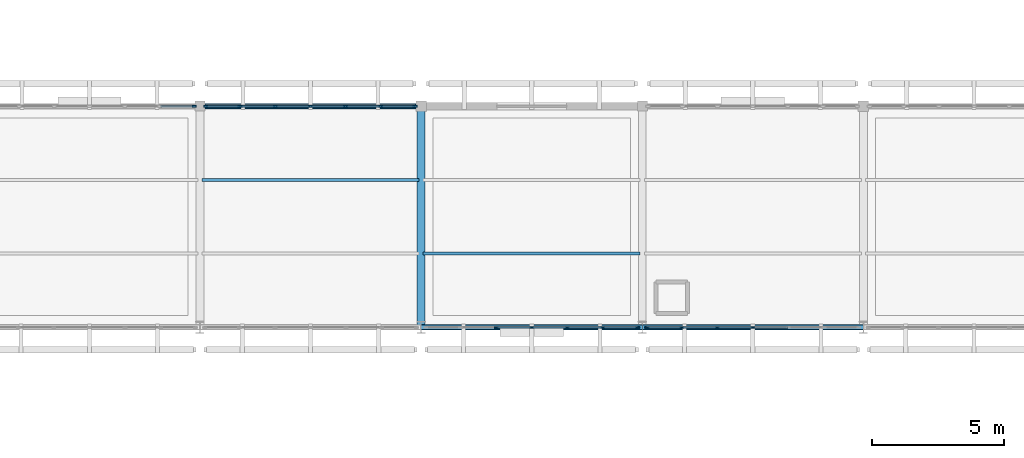
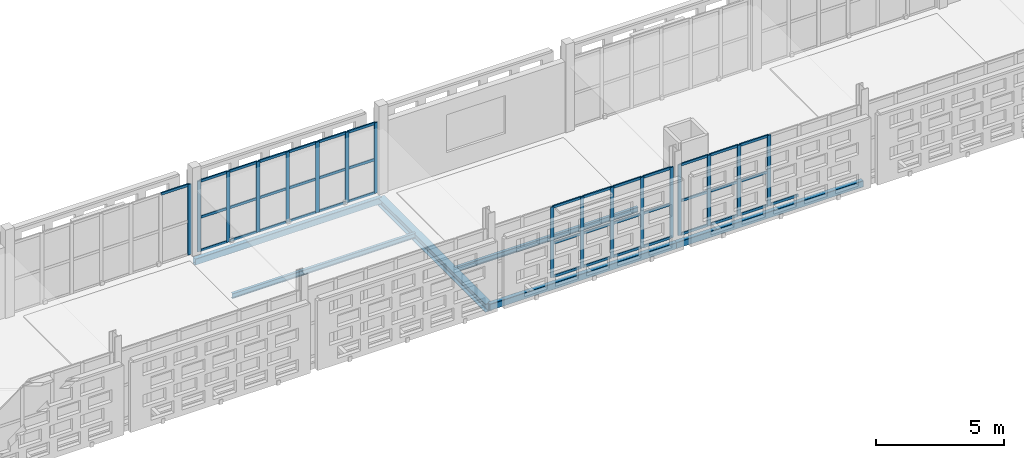
# One storey, part 45 of 166: 58 members, 6 beams, 4 elements without a shape of their own.
"""IFC4 building model written with IfcOpenShell, lengths in metres."""

import ifcopenshell
import ifcopenshell.guid

model = None  # the IFC model being written
_history = None  # IfcOwnerHistory: only IFC2X3 demands one
_inside = {}  # id of a spatial element -> (the spatial element, [elements in it])
_under = {}  # id of a project, library or spatial element -> (it, [spatial elements below it])
_declared = {}  # id of a project -> (the project, [libraries it declares])
_typed = {}  # id of a type object -> (the type object, [elements of that type])
_made_of = {}  # id of a material, layer set ... -> (it, [elements and type objects made of it])


def new_model(schema):
    """Start an empty IFC model of exactly this schema.

    Asked for "IFC4X3", IfcOpenShell would pick the latest addendum, in which some entities
    have other attributes; the version numbers below select the first issue.
    IFC2X3 requires an IfcOwnerHistory on every rooted entity: one is made here for all.
    """
    global model, _history
    if schema == "IFC4X3":
        model = ifcopenshell.file(schema_version=(4, 3, 0, 0))
    else:
        model = ifcopenshell.file(schema=schema)
    _inside.clear()
    _under.clear()
    _declared.clear()
    _typed.clear()
    _made_of.clear()
    _history = None
    if model.schema == "IFC2X3":
        org = make("IfcOrganization", Name="unknown")
        user = make(
            "IfcPersonAndOrganization",
            ThePerson=make("IfcPerson", FamilyName="unknown"),
            TheOrganization=org,
        )
        app = make(
            "IfcApplication",
            ApplicationDeveloper=org,
            Version="unknown",
            ApplicationFullName="unknown",
            ApplicationIdentifier="unknown",
        )
        _history = make(
            "IfcOwnerHistory",
            OwningUser=user,
            OwningApplication=app,
            ChangeAction="ADDED",
            CreationDate=0,
        )
    return model


def make(cls, **values):
    """One entity of the class cls with the attributes given. An attribute that is None is left unset."""
    return model.create_entity(
        cls, **{name: value for name, value in values.items() if value is not None}
    )


def rooted(cls, **values):
    """An entity with a GlobalId (a new one), such as an element, a storey or a relation."""
    return make(cls, GlobalId=ifcopenshell.guid.new(), OwnerHistory=_history, **values)


def si_unit(unit_type, name, prefix=None):
    """IfcSIUnit, for example si_unit("LENGTHUNIT", "METRE", prefix="MILLI")."""
    return make("IfcSIUnit", UnitType=unit_type, Prefix=prefix, Name=name)


def assignment(units):
    """IfcUnitAssignment: the units of a project."""
    return None if units is None else make("IfcUnitAssignment", Units=units)


def point(xyz):
    """IfcCartesianPoint."""
    return None if xyz is None else make("IfcCartesianPoint", Coordinates=xyz)


def direction(xyz):
    """IfcDirection."""
    return None if xyz is None else make("IfcDirection", DirectionRatios=xyz)


def frame(location, z_axis=None, x_axis=None):
    """IfcAxis2Placement3D, a coordinate frame: its origin and axes. An axis left out is left unset."""
    return make(
        "IfcAxis2Placement3D",
        Location=point(location),
        Axis=direction(z_axis),
        RefDirection=direction(x_axis),
    )


def frame_2d(location, x_axis=None):
    """IfcAxis2Placement2D, a coordinate frame in the plane: its origin and x axis."""
    return make(
        "IfcAxis2Placement2D", Location=point(location), RefDirection=direction(x_axis)
    )


def origin():
    """The frame at (0, 0, 0) with its axes left unset."""
    return frame((0.0, 0.0, 0.0))


def origin_2d():
    """The frame at (0, 0) in the plane with its x axis left unset."""
    return frame_2d((0.0, 0.0))


def place(relative_to, where):
    """IfcLocalPlacement: puts the frame where relative to a parent placement (None: the world)."""
    return make(
        "IfcLocalPlacement", PlacementRelTo=relative_to, RelativePlacement=where
    )


def context(
    kind, dimensions, precision=None, world=None, true_north=None, identifier=None
):
    """IfcGeometricRepresentationContext, for example the 3D "Model" context."""
    return make(
        "IfcGeometricRepresentationContext",
        ContextIdentifier=identifier,
        ContextType=kind,
        CoordinateSpaceDimension=dimensions,
        Precision=precision,
        WorldCoordinateSystem=world,
        TrueNorth=true_north,
    )


def subcontext(parent, identifier, kind, view, scale=None):
    """IfcGeometricRepresentationSubContext, for example "Body" below "Model"."""
    return make(
        "IfcGeometricRepresentationSubContext",
        ContextIdentifier=identifier,
        ContextType=kind,
        ParentContext=parent,
        TargetScale=scale,
        TargetView=view,
    )


def project(units=None, contexts=None):
    """IfcProject with its units and contexts."""
    return rooted(
        "IfcProject",
        Name="project",
        RepresentationContexts=contexts,
        UnitsInContext=assignment(units),
    )


def spatial(cls, under=None, at=None, **own):
    """A site, building, storey or space (cls), placed at a placement, below another one or the project."""
    s = rooted(cls, ObjectPlacement=at, **own)
    if under is not None:
        _under.setdefault(under.id(), (under, []))[1].append(s)
    return s


def profile(cls, at=None, kind="AREA", **sizes):
    """A parametric profile (cls). Its sizes go by their IFC names, for example OverallWidth=200.0."""
    return make(cls, ProfileType=kind, Position=at, **sizes)


def rectangle(**sizes):
    """IfcRectangleProfileDef."""
    return profile("IfcRectangleProfileDef", **sizes)


def hollow_rectangle(**sizes):
    """IfcRectangleHollowProfileDef."""
    return profile("IfcRectangleHollowProfileDef", **sizes)


def i_section(**sizes):
    """IfcIShapeProfileDef."""
    return profile("IfcIShapeProfileDef", **sizes)


def extrude(swept, where, along, depth):
    """IfcExtrudedAreaSolid: the profile swept, set in the frame where, extruded along a direction by depth."""
    return make(
        "IfcExtrudedAreaSolid",
        SweptArea=swept,
        Position=where,
        ExtrudedDirection=direction(along),
        Depth=depth,
    )


def shape(context_of_items, identifier, shape_type, items):
    """IfcShapeRepresentation: the items that make up one representation, for example the "Body"."""
    return make(
        "IfcShapeRepresentation",
        ContextOfItems=context_of_items,
        RepresentationIdentifier=identifier,
        RepresentationType=shape_type,
        Items=items,
    )


def material(Name=None, Category=None):
    """IfcMaterial."""
    return make("IfcMaterial", Name=Name, Category=Category)


def layer(
    of_material, thickness, ventilated=None, Name=None, Category=None, Priority=None
):
    """IfcMaterialLayer: one layer of a wall or slab, of a material (None: an air gap)."""
    return make(
        "IfcMaterialLayer",
        Material=of_material,
        LayerThickness=thickness,
        IsVentilated=ventilated,
        Name=Name,
        Category=Category,
        Priority=Priority,
    )


def layer_set(layers, Name=None):
    """IfcMaterialLayerSet."""
    return make("IfcMaterialLayerSet", MaterialLayers=layers, LayerSetName=Name)


def material_profile(
    of_material, cross_section, Name=None, Category=None, Priority=None
):
    """IfcMaterialProfile: a cross section and its material."""
    return make(
        "IfcMaterialProfile",
        Name=Name,
        Material=of_material,
        Profile=cross_section,
        Priority=Priority,
        Category=Category,
    )


def profile_set(profiles, Name=None, composite=None):
    """IfcMaterialProfileSet."""
    return make(
        "IfcMaterialProfileSet",
        Name=Name,
        MaterialProfiles=profiles,
        CompositeProfile=composite,
    )


def made_of(thing, what):
    """Note that an element or type object is made of a material, layer set ...; save() writes the relation."""
    if what is not None:
        _made_of.setdefault(what.id(), (what, []))[1].append(thing)
    return thing


def type_object(cls, material=None, **own):
    """A type object (cls), such as IfcWallType, which elements share."""
    return made_of(rooted(cls, **own), material)


def element(
    cls,
    number,
    at=None,
    inside=None,
    cuts=None,
    type_object=None,
    material=None,
    context=None,
    identifier="Body",
    shape_type=None,
    held_by="IfcProductDefinitionShape",
    body=None,
    shapes=None,
    **own,
):
    """One element of the class cls, such as IfcWall. Its Tag is "e" and its number.

    at: its placement. inside: the storey or other place that contains it. cuts: it is an
    opening in that element (IfcRelVoidsElement). A single representation is given by context,
    identifier, shape_type and body (its items); several are given by shapes. held_by: the class
    of the entity that holds the representations. save() writes the other relations.
    """
    e = rooted(cls, Tag="e%d" % number, ObjectPlacement=at, **own)
    if body is not None:
        shapes = [shape(context, identifier, shape_type, body)]
    if shapes is not None:
        e.Representation = make(held_by, Representations=shapes)
    if inside is not None:
        _inside.setdefault(inside.id(), (inside, []))[1].append(e)
    if cuts is not None:
        rooted(
            "IfcRelVoidsElement", RelatingBuildingElement=cuts, RelatedOpeningElement=e
        )
    if type_object is not None:
        _typed.setdefault(type_object.id(), (type_object, []))[1].append(e)
    return made_of(e, material)


def aggregate(whole, parts):
    """IfcRelAggregates: a whole, such as a stair, and the parts it consists of."""
    return rooted("IfcRelAggregates", RelatingObject=whole, RelatedObjects=parts)


def save(model, path):
    """Write the relations noted so far, then the file.

    IfcRelAggregates (storeys below a building ...), IfcRelContainedInSpatialStructure (elements
    in a storey), IfcRelDefinesByType, IfcRelAssociatesMaterial and IfcRelDeclares: one each for
    every whole, place, type object, material and project.
    """
    for whole, parts in _under.values():
        aggregate(whole, parts)
    for where, things in _inside.values():
        rooted(
            "IfcRelContainedInSpatialStructure",
            RelatedElements=things,
            RelatingStructure=where,
        )
    for kind, things in _typed.values():
        rooted("IfcRelDefinesByType", RelatedObjects=things, RelatingType=kind)
    for what, things in _made_of.values():
        rooted("IfcRelAssociatesMaterial", RelatedObjects=things, RelatingMaterial=what)
    for by, libraries in _declared.values():
        rooted("IfcRelDeclares", RelatingContext=by, RelatedDefinitions=libraries)
    model.write(path)


model = new_model("IFC4")

# Units and contexts
model_context = context("Model", 3, precision=1e-05, world=origin(), true_north=direction((0.0, 1.0)))
body_context = subcontext(model_context, "Body", "Model", "MODEL_VIEW")
ifc_project = project(units=[si_unit("LENGTHUNIT", "METRE"), si_unit("AREAUNIT", "SQUARE_METRE"), si_unit("VOLUMEUNIT", "CUBIC_METRE"), si_unit("PLANEANGLEUNIT", "RADIAN"), si_unit("MASSUNIT", "GRAM", prefix="KILO")], contexts=[model_context])

# Site, building, storey
site_placement = place(None, origin())
site = spatial("IfcSite", under=ifc_project, at=site_placement, CompositionType="ELEMENT")
building_placement = place(site_placement, origin())
building = spatial("IfcBuilding", under=site, at=building_placement, Name="Varnapada Polytechnic", CompositionType="ELEMENT")
storey_placement = place(building_placement, frame((0.0, 0.0, 9.60009765625)))
storey = spatial("IfcBuildingStorey", under=building, at=storey_placement, Name="L02", CompositionType="ELEMENT", Elevation=9.60009765625)

# Curtain wall, member
ifc_material_1 = material(Name="Double low-E laminated glass", Category="glass")
ifc_layer_1 = layer(ifc_material_1, 0.159912109375)
ifc_layer_set_1 = layer_set([ifc_layer_1], Name="Double low-E laminated glass")
curtain_wall_type_1 = type_object("IfcCurtainWallType", Name="Curtain Wall CW-02", PredefinedType="NOTDEFINED", material=ifc_layer_set_1)
curtain_wall_1_placement = place(storey_placement, origin())
curtain_wall_1 = element("IfcCurtainWall", 1, at=curtain_wall_1_placement, inside=storey, type_object=curtain_wall_type_1, Name="L02 unitised curtain wall CW-02 (167)", PredefinedType="NOTDEFINED")
ifc_material_2 = material(Name="Anodised aluminium", Category="aluminium")
ifc_material_profile_1 = material_profile(ifc_material_2, rectangle(XDim=0.06005859375, YDim=0.159912109375, at=origin_2d()), Name="ALU M60x160")
ifc_profile_set_1 = profile_set([ifc_material_profile_1], Name="Anodised aluminium")
member_type_1 = type_object("IfcMemberType", Name="Mullion M-01", PredefinedType="MULLION", material=ifc_profile_set_1)
member_1_placement = place(storey_placement, frame((83.780029296875, 92.39990234375, 0.0), z_axis=(0.0, 0.0, 1.0), x_axis=(0.0, 1.0, 0.0)))
member_1 = element("IfcMember", 2, at=member_1_placement, type_object=member_type_1, Name="CW-02 mullion 7", PredefinedType="MULLION", context=body_context, shape_type="SweptSolid", body=[
    extrude(rectangle(XDim=0.06005859375, YDim=0.159912109375, at=origin_2d()), origin(), (0.0, 0.0, 1.0), 3.35986328125),
])

# Curtain wall, members
curtain_wall_2_placement = place(storey_placement, origin())
curtain_wall_2 = element("IfcCurtainWall", 3, at=curtain_wall_2_placement, inside=storey, type_object=curtain_wall_type_1, Name="L02 unitised curtain wall CW-02 (169)", PredefinedType="NOTDEFINED")
member_2_placement = place(storey_placement, frame((84.219970703125, 92.39990234375, 0.0), z_axis=(0.0, 0.0, 1.0), x_axis=(0.0, 1.0, 0.0)))
member_2 = element("IfcMember", 4, at=member_2_placement, type_object=member_type_1, Name="CW-02 mullion 1", PredefinedType="MULLION", context=body_context, shape_type="SweptSolid", body=[
    extrude(rectangle(XDim=0.06005859375, YDim=0.159912109375, at=origin_2d()), origin(), (0.0, 0.0, 1.0), 3.35986328125),
])
member_3_placement = place(storey_placement, frame((85.52490234375, 92.39990234375, 0.0), z_axis=(0.0, 0.0, 1.0), x_axis=(0.0, 1.0, 0.0)))
member_3 = element("IfcMember", 5, at=member_3_placement, type_object=member_type_1, Name="CW-02 mullion 2", PredefinedType="MULLION", context=body_context, shape_type="SweptSolid", body=[
    extrude(rectangle(XDim=0.06005859375, YDim=0.159912109375, at=origin_2d()), origin(), (0.0, 0.0, 1.0), 3.35986328125),
])
member_4_placement = place(storey_placement, frame((86.860107421875, 92.39990234375, 0.0), z_axis=(0.0, 0.0, 1.0), x_axis=(0.0, 1.0, 0.0)))
member_4 = element("IfcMember", 6, at=member_4_placement, type_object=member_type_1, Name="CW-02 mullion 3", PredefinedType="MULLION", context=body_context, shape_type="SweptSolid", body=[
    extrude(rectangle(XDim=0.06005859375, YDim=0.159912109375, at=origin_2d()), origin(), (0.0, 0.0, 1.0), 3.35986328125),
])
member_5_placement = place(storey_placement, frame((88.195068359375, 92.39990234375, 0.0), z_axis=(0.0, 0.0, 1.0), x_axis=(0.0, 1.0, 0.0)))
member_5 = element("IfcMember", 7, at=member_5_placement, type_object=member_type_1, Name="CW-02 mullion 4", PredefinedType="MULLION", context=body_context, shape_type="SweptSolid", body=[
    extrude(rectangle(XDim=0.06005859375, YDim=0.159912109375, at=origin_2d()), origin(), (0.0, 0.0, 1.0), 3.35986328125),
])
member_6_placement = place(storey_placement, frame((89.530029296875, 92.39990234375, 0.0), z_axis=(0.0, 0.0, 1.0), x_axis=(0.0, 1.0, 0.0)))
member_6 = element("IfcMember", 8, at=member_6_placement, type_object=member_type_1, Name="CW-02 mullion 5", PredefinedType="MULLION", context=body_context, shape_type="SweptSolid", body=[
    extrude(rectangle(XDim=0.06005859375, YDim=0.159912109375, at=origin_2d()), origin(), (0.0, 0.0, 1.0), 3.35986328125),
])
member_7_placement = place(storey_placement, frame((90.864990234375, 92.39990234375, 0.0), z_axis=(0.0, 0.0, 1.0), x_axis=(0.0, 1.0, 0.0)))
member_7 = element("IfcMember", 9, at=member_7_placement, type_object=member_type_1, Name="CW-02 mullion 6", PredefinedType="MULLION", context=body_context, shape_type="SweptSolid", body=[
    extrude(rectangle(XDim=0.06005859375, YDim=0.159912109375, at=origin_2d()), origin(), (0.0, 0.0, 1.0), 3.35986328125),
])
member_8_placement = place(storey_placement, frame((92.169921875, 92.39990234375, 0.0), z_axis=(0.0, 0.0, 1.0), x_axis=(0.0, 1.0, 0.0)))
member_8 = element("IfcMember", 10, at=member_8_placement, type_object=member_type_1, Name="CW-02 mullion 7", PredefinedType="MULLION", context=body_context, shape_type="SweptSolid", body=[
    extrude(rectangle(XDim=0.06005859375, YDim=0.159912109375, at=origin_2d()), origin(), (0.0, 0.0, 1.0), 3.35986328125),
])

ifc_layer_2 = layer(ifc_material_1, 0.159912109375)
ifc_layer_set_2 = layer_set([ifc_layer_2], Name="Double low-E laminated glass")
curtain_wall_type_2 = type_object("IfcCurtainWallType", Name="Curtain Wall CW-01", PredefinedType="NOTDEFINED", material=ifc_layer_set_2)
curtain_wall_3_placement = place(storey_placement, origin())
curtain_wall_3 = element("IfcCurtainWall", 11, at=curtain_wall_3_placement, inside=storey, type_object=curtain_wall_type_2, Name="L02 unitised curtain wall CW-01 (170)", PredefinedType="NOTDEFINED")
member_9_placement = place(storey_placement, frame((100.6201171875, 84.0, 0.0), z_axis=(0.0, 0.0, 1.0), x_axis=(0.0, -1.0, 0.0)))
member_9 = element("IfcMember", 12, at=member_9_placement, type_object=member_type_1, Name="CW-01 mullion 1", PredefinedType="MULLION", context=body_context, shape_type="SweptSolid", body=[
    extrude(rectangle(XDim=0.06005859375, YDim=0.159912109375, at=origin_2d()), origin(), (0.0, 0.0, 1.0), 3.35986328125),
])
member_10_placement = place(storey_placement, frame((99.300048828125, 84.0, 0.0), z_axis=(0.0, 0.0, 1.0), x_axis=(0.0, -1.0, 0.0)))
member_10 = element("IfcMember", 13, at=member_10_placement, type_object=member_type_1, Name="CW-01 mullion 2", PredefinedType="MULLION", context=body_context, shape_type="SweptSolid", body=[
    extrude(rectangle(XDim=0.06005859375, YDim=0.159912109375, at=origin_2d()), origin(), (0.0, 0.0, 1.0), 3.35986328125),
])
member_11_placement = place(storey_placement, frame((97.949951171875, 84.0, 0.0), z_axis=(0.0, 0.0, 1.0), x_axis=(0.0, -1.0, 0.0)))
member_11 = element("IfcMember", 14, at=member_11_placement, type_object=member_type_1, Name="CW-01 mullion 3", PredefinedType="MULLION", context=body_context, shape_type="SweptSolid", body=[
    extrude(rectangle(XDim=0.06005859375, YDim=0.159912109375, at=origin_2d()), origin(), (0.0, 0.0, 1.0), 3.35986328125),
])
member_12_placement = place(storey_placement, frame((96.60009765625, 84.0, 0.0), z_axis=(0.0, 0.0, 1.0), x_axis=(0.0, -1.0, 0.0)))
member_12 = element("IfcMember", 15, at=member_12_placement, type_object=member_type_1, Name="CW-01 mullion 4", PredefinedType="MULLION", context=body_context, shape_type="SweptSolid", body=[
    extrude(rectangle(XDim=0.06005859375, YDim=0.159912109375, at=origin_2d()), origin(), (0.0, 0.0, 1.0), 3.35986328125),
])
member_13_placement = place(storey_placement, frame((95.25, 84.0, 0.0), z_axis=(0.0, 0.0, 1.0), x_axis=(0.0, -1.0, 0.0)))
member_13 = element("IfcMember", 16, at=member_13_placement, type_object=member_type_1, Name="CW-01 mullion 5", PredefinedType="MULLION", context=body_context, shape_type="SweptSolid", body=[
    extrude(rectangle(XDim=0.06005859375, YDim=0.159912109375, at=origin_2d()), origin(), (0.0, 0.0, 1.0), 3.35986328125),
])

curtain_wall_4_placement = place(storey_placement, origin())
curtain_wall_4 = element("IfcCurtainWall", 17, at=curtain_wall_4_placement, inside=storey, type_object=curtain_wall_type_2, Name="L02 unitised curtain wall CW-01 (171)", PredefinedType="NOTDEFINED")
member_14_placement = place(storey_placement, frame((105.0, 84.0, 0.0), z_axis=(0.0, 0.0, 1.0), x_axis=(0.0, -1.0, 0.0)))
member_14 = element("IfcMember", 18, at=member_14_placement, type_object=member_type_1, Name="CW-01 mullion 4", PredefinedType="MULLION", context=body_context, shape_type="SweptSolid", body=[
    extrude(rectangle(XDim=0.06005859375, YDim=0.159912109375, at=origin_2d()), origin(), (0.0, 0.0, 1.0), 3.35986328125),
])
member_15_placement = place(storey_placement, frame((103.64990234375, 84.0, 0.0), z_axis=(0.0, 0.0, 1.0), x_axis=(0.0, -1.0, 0.0)))
member_15 = element("IfcMember", 19, at=member_15_placement, type_object=member_type_1, Name="CW-01 mullion 5", PredefinedType="MULLION", context=body_context, shape_type="SweptSolid", body=[
    extrude(rectangle(XDim=0.06005859375, YDim=0.159912109375, at=origin_2d()), origin(), (0.0, 0.0, 1.0), 3.35986328125),
])
member_16_placement = place(storey_placement, frame((102.300048828125, 84.0, 0.0), z_axis=(0.0, 0.0, 1.0), x_axis=(0.0, -1.0, 0.0)))
member_16 = element("IfcMember", 20, at=member_16_placement, type_object=member_type_1, Name="CW-01 mullion 6", PredefinedType="MULLION", context=body_context, shape_type="SweptSolid", body=[
    extrude(rectangle(XDim=0.06005859375, YDim=0.159912109375, at=origin_2d()), origin(), (0.0, 0.0, 1.0), 3.35986328125),
])
member_17_placement = place(storey_placement, frame((100.97998046875, 84.0, 0.0), z_axis=(0.0, 0.0, 1.0), x_axis=(0.0, -1.0, 0.0)))
member_17 = element("IfcMember", 21, at=member_17_placement, type_object=member_type_1, Name="CW-01 mullion 7", PredefinedType="MULLION", context=body_context, shape_type="SweptSolid", body=[
    extrude(rectangle(XDim=0.06005859375, YDim=0.159912109375, at=origin_2d()), origin(), (0.0, 0.0, 1.0), 3.35986328125),
])

# Beam
ifc_material_3 = material(Name="Steel S355", Category="steel")
ifc_material_profile_2 = material_profile(ifc_material_3, i_section(OverallWidth=0.300048828125, OverallDepth=0.389892578125, WebThickness=0.010986328125, FlangeThickness=0.01904296875, FilletRadius=0.027099609375, at=origin_2d()), Name="HEA 400")
ifc_profile_set_2 = profile_set([ifc_material_profile_2], Name="Steel S355")
beam_type_1 = type_object("IfcBeamType", Name="Steel roof primary girder SG-01 (HEA 400)", PredefinedType="BEAM", material=ifc_profile_set_2)
beam_1_placement = place(storey_placement, frame((92.39990234375, 84.0, -0.43505859375), z_axis=(0.0, 1.0, 0.0), x_axis=(-1.0, 0.0, 0.0)))
element("IfcBeam", 22, at=beam_1_placement, inside=storey, type_object=beam_type_1, Name="L02 beam Y 11-12 at X12", PredefinedType="BEAM", context=body_context, shape_type="SweptSolid", body=[
    extrude(i_section(OverallWidth=0.300048828125, OverallDepth=0.389892578125, WebThickness=0.010986328125, FlangeThickness=0.01904296875, FilletRadius=0.027099609375, at=origin_2d()), origin(), (0.0, 0.0, 1.0), 8.39990234375),
])

# Member
ifc_material_profile_3 = material_profile(ifc_material_2, rectangle(XDim=0.06005859375, YDim=0.1201171875, at=origin_2d()), Name="ALU T60x120")
ifc_profile_set_3 = profile_set([ifc_material_profile_3], Name="Anodised aluminium")
member_type_2 = type_object("IfcMemberType", Name="Transom T-01", PredefinedType="USERDEFINED", material=ifc_profile_set_3)
member_18_placement = place(storey_placement, frame((82.5048828125, 92.39990234375, 3.329833984375), z_axis=(1.0, 0.0, 0.0), x_axis=(0.0, 1.0, 0.0)))
member_18 = element("IfcMember", 23, at=member_18_placement, type_object=member_type_2, Name="CW-02 transom 6.3", ObjectType="TRANSOM", PredefinedType="USERDEFINED", context=body_context, shape_type="SweptSolid", body=[
    extrude(rectangle(XDim=0.06005859375, YDim=0.1201171875, at=origin_2d()), origin(), (0.0, 0.0, 1.0), 1.2451171875),
])

aggregate(curtain_wall_1, [member_1, member_18])

member_19_placement = place(storey_placement, frame((84.25, 92.39990234375, 0.02978515625), z_axis=(1.0, 0.0, 0.0), x_axis=(0.0, 1.0, 0.0)))
member_19 = element("IfcMember", 24, at=member_19_placement, type_object=member_type_2, Name="CW-02 transom 1.1", ObjectType="TRANSOM", PredefinedType="USERDEFINED", context=body_context, shape_type="SweptSolid", body=[
    extrude(rectangle(XDim=0.06005859375, YDim=0.1201171875, at=origin_2d()), origin(), (0.0, 0.0, 1.0), 1.2451171875),
])

member_20_placement = place(storey_placement, frame((84.25, 92.39990234375, 1.61279296875), z_axis=(1.0, 0.0, 0.0), x_axis=(0.0, 1.0, 0.0)))
member_20 = element("IfcMember", 25, at=member_20_placement, type_object=member_type_2, Name="CW-02 transom 1.2", ObjectType="TRANSOM", PredefinedType="USERDEFINED", context=body_context, shape_type="SweptSolid", body=[
    extrude(rectangle(XDim=0.06005859375, YDim=0.1201171875, at=origin_2d()), origin(), (0.0, 0.0, 1.0), 1.2451171875),
])

member_21_placement = place(storey_placement, frame((84.25, 92.39990234375, 3.329833984375), z_axis=(1.0, 0.0, 0.0), x_axis=(0.0, 1.0, 0.0)))
member_21 = element("IfcMember", 26, at=member_21_placement, type_object=member_type_2, Name="CW-02 transom 1.3", ObjectType="TRANSOM", PredefinedType="USERDEFINED", context=body_context, shape_type="SweptSolid", body=[
    extrude(rectangle(XDim=0.06005859375, YDim=0.1201171875, at=origin_2d()), origin(), (0.0, 0.0, 1.0), 1.2451171875),
])

member_22_placement = place(storey_placement, frame((85.554931640625, 92.39990234375, 0.02978515625), z_axis=(1.0, 0.0, 0.0), x_axis=(0.0, 1.0, 0.0)))
member_22 = element("IfcMember", 27, at=member_22_placement, type_object=member_type_2, Name="CW-02 transom 2.1", ObjectType="TRANSOM", PredefinedType="USERDEFINED", context=body_context, shape_type="SweptSolid", body=[
    extrude(rectangle(XDim=0.06005859375, YDim=0.1201171875, at=origin_2d()), origin(), (0.0, 0.0, 1.0), 1.275146484375),
])

member_23_placement = place(storey_placement, frame((85.554931640625, 92.39990234375, 1.61279296875), z_axis=(1.0, 0.0, 0.0), x_axis=(0.0, 1.0, 0.0)))
member_23 = element("IfcMember", 28, at=member_23_placement, type_object=member_type_2, Name="CW-02 transom 2.2", ObjectType="TRANSOM", PredefinedType="USERDEFINED", context=body_context, shape_type="SweptSolid", body=[
    extrude(rectangle(XDim=0.06005859375, YDim=0.1201171875, at=origin_2d()), origin(), (0.0, 0.0, 1.0), 1.275146484375),
])

member_24_placement = place(storey_placement, frame((85.554931640625, 92.39990234375, 3.329833984375), z_axis=(1.0, 0.0, 0.0), x_axis=(0.0, 1.0, 0.0)))
member_24 = element("IfcMember", 29, at=member_24_placement, type_object=member_type_2, Name="CW-02 transom 2.3", ObjectType="TRANSOM", PredefinedType="USERDEFINED", context=body_context, shape_type="SweptSolid", body=[
    extrude(rectangle(XDim=0.06005859375, YDim=0.1201171875, at=origin_2d()), origin(), (0.0, 0.0, 1.0), 1.275146484375),
])

member_25_placement = place(storey_placement, frame((86.889892578125, 92.39990234375, 0.02978515625), z_axis=(1.0, 0.0, 0.0), x_axis=(0.0, 1.0, 0.0)))
member_25 = element("IfcMember", 30, at=member_25_placement, type_object=member_type_2, Name="CW-02 transom 3.1", ObjectType="TRANSOM", PredefinedType="USERDEFINED", context=body_context, shape_type="SweptSolid", body=[
    extrude(rectangle(XDim=0.06005859375, YDim=0.1201171875, at=origin_2d()), origin(), (0.0, 0.0, 1.0), 1.275146484375),
])

member_26_placement = place(storey_placement, frame((86.889892578125, 92.39990234375, 1.61279296875), z_axis=(1.0, 0.0, 0.0), x_axis=(0.0, 1.0, 0.0)))
member_26 = element("IfcMember", 31, at=member_26_placement, type_object=member_type_2, Name="CW-02 transom 3.2", ObjectType="TRANSOM", PredefinedType="USERDEFINED", context=body_context, shape_type="SweptSolid", body=[
    extrude(rectangle(XDim=0.06005859375, YDim=0.1201171875, at=origin_2d()), origin(), (0.0, 0.0, 1.0), 1.275146484375),
])

member_27_placement = place(storey_placement, frame((86.889892578125, 92.39990234375, 3.329833984375), z_axis=(1.0, 0.0, 0.0), x_axis=(0.0, 1.0, 0.0)))
member_27 = element("IfcMember", 32, at=member_27_placement, type_object=member_type_2, Name="CW-02 transom 3.3", ObjectType="TRANSOM", PredefinedType="USERDEFINED", context=body_context, shape_type="SweptSolid", body=[
    extrude(rectangle(XDim=0.06005859375, YDim=0.1201171875, at=origin_2d()), origin(), (0.0, 0.0, 1.0), 1.275146484375),
])

member_28_placement = place(storey_placement, frame((88.22509765625, 92.39990234375, 0.02978515625), z_axis=(1.0, 0.0, 0.0), x_axis=(0.0, 1.0, 0.0)))
member_28 = element("IfcMember", 33, at=member_28_placement, type_object=member_type_2, Name="CW-02 transom 4.1", ObjectType="TRANSOM", PredefinedType="USERDEFINED", context=body_context, shape_type="SweptSolid", body=[
    extrude(rectangle(XDim=0.06005859375, YDim=0.1201171875, at=origin_2d()), origin(), (0.0, 0.0, 1.0), 1.27490234375),
])

member_29_placement = place(storey_placement, frame((88.22509765625, 92.39990234375, 1.61279296875), z_axis=(1.0, 0.0, 0.0), x_axis=(0.0, 1.0, 0.0)))
member_29 = element("IfcMember", 34, at=member_29_placement, type_object=member_type_2, Name="CW-02 transom 4.2", ObjectType="TRANSOM", PredefinedType="USERDEFINED", context=body_context, shape_type="SweptSolid", body=[
    extrude(rectangle(XDim=0.06005859375, YDim=0.1201171875, at=origin_2d()), origin(), (0.0, 0.0, 1.0), 1.27490234375),
])

member_30_placement = place(storey_placement, frame((88.22509765625, 92.39990234375, 3.329833984375), z_axis=(1.0, 0.0, 0.0), x_axis=(0.0, 1.0, 0.0)))
member_30 = element("IfcMember", 35, at=member_30_placement, type_object=member_type_2, Name="CW-02 transom 4.3", ObjectType="TRANSOM", PredefinedType="USERDEFINED", context=body_context, shape_type="SweptSolid", body=[
    extrude(rectangle(XDim=0.06005859375, YDim=0.1201171875, at=origin_2d()), origin(), (0.0, 0.0, 1.0), 1.27490234375),
])

member_31_placement = place(storey_placement, frame((89.56005859375, 92.39990234375, 0.02978515625), z_axis=(1.0, 0.0, 0.0), x_axis=(0.0, 1.0, 0.0)))
member_31 = element("IfcMember", 36, at=member_31_placement, type_object=member_type_2, Name="CW-02 transom 5.1", ObjectType="TRANSOM", PredefinedType="USERDEFINED", context=body_context, shape_type="SweptSolid", body=[
    extrude(rectangle(XDim=0.06005859375, YDim=0.1201171875, at=origin_2d()), origin(), (0.0, 0.0, 1.0), 1.27490234375),
])

member_32_placement = place(storey_placement, frame((89.56005859375, 92.39990234375, 1.61279296875), z_axis=(1.0, 0.0, 0.0), x_axis=(0.0, 1.0, 0.0)))
member_32 = element("IfcMember", 37, at=member_32_placement, type_object=member_type_2, Name="CW-02 transom 5.2", ObjectType="TRANSOM", PredefinedType="USERDEFINED", context=body_context, shape_type="SweptSolid", body=[
    extrude(rectangle(XDim=0.06005859375, YDim=0.1201171875, at=origin_2d()), origin(), (0.0, 0.0, 1.0), 1.27490234375),
])

member_33_placement = place(storey_placement, frame((89.56005859375, 92.39990234375, 3.329833984375), z_axis=(1.0, 0.0, 0.0), x_axis=(0.0, 1.0, 0.0)))
member_33 = element("IfcMember", 38, at=member_33_placement, type_object=member_type_2, Name="CW-02 transom 5.3", ObjectType="TRANSOM", PredefinedType="USERDEFINED", context=body_context, shape_type="SweptSolid", body=[
    extrude(rectangle(XDim=0.06005859375, YDim=0.1201171875, at=origin_2d()), origin(), (0.0, 0.0, 1.0), 1.27490234375),
])

member_34_placement = place(storey_placement, frame((90.89501953125, 92.39990234375, 0.02978515625), z_axis=(1.0, 0.0, 0.0), x_axis=(0.0, 1.0, 0.0)))
member_34 = element("IfcMember", 39, at=member_34_placement, type_object=member_type_2, Name="CW-02 transom 6.1", ObjectType="TRANSOM", PredefinedType="USERDEFINED", context=body_context, shape_type="SweptSolid", body=[
    extrude(rectangle(XDim=0.06005859375, YDim=0.1201171875, at=origin_2d()), origin(), (0.0, 0.0, 1.0), 1.244873046875),
])

member_35_placement = place(storey_placement, frame((90.89501953125, 92.39990234375, 1.61279296875), z_axis=(1.0, 0.0, 0.0), x_axis=(0.0, 1.0, 0.0)))
member_35 = element("IfcMember", 40, at=member_35_placement, type_object=member_type_2, Name="CW-02 transom 6.2", ObjectType="TRANSOM", PredefinedType="USERDEFINED", context=body_context, shape_type="SweptSolid", body=[
    extrude(rectangle(XDim=0.06005859375, YDim=0.1201171875, at=origin_2d()), origin(), (0.0, 0.0, 1.0), 1.244873046875),
])

member_36_placement = place(storey_placement, frame((90.89501953125, 92.39990234375, 3.329833984375), z_axis=(1.0, 0.0, 0.0), x_axis=(0.0, 1.0, 0.0)))
member_36 = element("IfcMember", 41, at=member_36_placement, type_object=member_type_2, Name="CW-02 transom 6.3", ObjectType="TRANSOM", PredefinedType="USERDEFINED", context=body_context, shape_type="SweptSolid", body=[
    extrude(rectangle(XDim=0.06005859375, YDim=0.1201171875, at=origin_2d()), origin(), (0.0, 0.0, 1.0), 1.244873046875),
])

aggregate(curtain_wall_2, [member_2, member_3, member_4, member_5, member_6, member_7, member_8, member_19, member_20, member_21, member_22, member_23, member_24, member_25, member_26, member_27, member_28, member_29, member_30, member_31, member_32, member_33, member_34, member_35, member_36])

member_37_placement = place(storey_placement, frame((100.590087890625, 84.0, 0.02978515625), z_axis=(-1.0, 0.0, 0.0), x_axis=(0.0, -1.0, 0.0)))
member_37 = element("IfcMember", 42, at=member_37_placement, type_object=member_type_2, Name="CW-01 transom 1.1", ObjectType="TRANSOM", PredefinedType="USERDEFINED", context=body_context, shape_type="SweptSolid", body=[
    extrude(rectangle(XDim=0.06005859375, YDim=0.1201171875, at=origin_2d()), origin(), (0.0, 0.0, 1.0), 1.260009765625),
])

member_38_placement = place(storey_placement, frame((100.590087890625, 84.0, 1.61279296875), z_axis=(-1.0, 0.0, 0.0), x_axis=(0.0, -1.0, 0.0)))
member_38 = element("IfcMember", 43, at=member_38_placement, type_object=member_type_2, Name="CW-01 transom 1.2", ObjectType="TRANSOM", PredefinedType="USERDEFINED", context=body_context, shape_type="SweptSolid", body=[
    extrude(rectangle(XDim=0.06005859375, YDim=0.1201171875, at=origin_2d()), origin(), (0.0, 0.0, 1.0), 1.260009765625),
])

member_39_placement = place(storey_placement, frame((100.590087890625, 84.0, 3.329833984375), z_axis=(-1.0, 0.0, 0.0), x_axis=(0.0, -1.0, 0.0)))
member_39 = element("IfcMember", 44, at=member_39_placement, type_object=member_type_2, Name="CW-01 transom 1.3", ObjectType="TRANSOM", PredefinedType="USERDEFINED", context=body_context, shape_type="SweptSolid", body=[
    extrude(rectangle(XDim=0.06005859375, YDim=0.1201171875, at=origin_2d()), origin(), (0.0, 0.0, 1.0), 1.260009765625),
])

member_40_placement = place(storey_placement, frame((99.27001953125, 84.0, 0.02978515625), z_axis=(-1.0, 0.0, 0.0), x_axis=(0.0, -1.0, 0.0)))
member_40 = element("IfcMember", 45, at=member_40_placement, type_object=member_type_2, Name="CW-01 transom 2.1", ObjectType="TRANSOM", PredefinedType="USERDEFINED", context=body_context, shape_type="SweptSolid", body=[
    extrude(rectangle(XDim=0.06005859375, YDim=0.1201171875, at=origin_2d()), origin(), (0.0, 0.0, 1.0), 1.2900390625),
])

member_41_placement = place(storey_placement, frame((99.27001953125, 84.0, 1.61279296875), z_axis=(-1.0, 0.0, 0.0), x_axis=(0.0, -1.0, 0.0)))
member_41 = element("IfcMember", 46, at=member_41_placement, type_object=member_type_2, Name="CW-01 transom 2.2", ObjectType="TRANSOM", PredefinedType="USERDEFINED", context=body_context, shape_type="SweptSolid", body=[
    extrude(rectangle(XDim=0.06005859375, YDim=0.1201171875, at=origin_2d()), origin(), (0.0, 0.0, 1.0), 1.2900390625),
])

member_42_placement = place(storey_placement, frame((99.27001953125, 84.0, 3.329833984375), z_axis=(-1.0, 0.0, 0.0), x_axis=(0.0, -1.0, 0.0)))
member_42 = element("IfcMember", 47, at=member_42_placement, type_object=member_type_2, Name="CW-01 transom 2.3", ObjectType="TRANSOM", PredefinedType="USERDEFINED", context=body_context, shape_type="SweptSolid", body=[
    extrude(rectangle(XDim=0.06005859375, YDim=0.1201171875, at=origin_2d()), origin(), (0.0, 0.0, 1.0), 1.2900390625),
])

member_43_placement = place(storey_placement, frame((97.919921875, 84.0, 0.02978515625), z_axis=(-1.0, 0.0, 0.0), x_axis=(0.0, -1.0, 0.0)))
member_43 = element("IfcMember", 48, at=member_43_placement, type_object=member_type_2, Name="CW-01 transom 3.1", ObjectType="TRANSOM", PredefinedType="USERDEFINED", context=body_context, shape_type="SweptSolid", body=[
    extrude(rectangle(XDim=0.06005859375, YDim=0.1201171875, at=origin_2d()), origin(), (0.0, 0.0, 1.0), 1.2900390625),
])

member_44_placement = place(storey_placement, frame((97.919921875, 84.0, 1.61279296875), z_axis=(-1.0, 0.0, 0.0), x_axis=(0.0, -1.0, 0.0)))
member_44 = element("IfcMember", 49, at=member_44_placement, type_object=member_type_2, Name="CW-01 transom 3.2", ObjectType="TRANSOM", PredefinedType="USERDEFINED", context=body_context, shape_type="SweptSolid", body=[
    extrude(rectangle(XDim=0.06005859375, YDim=0.1201171875, at=origin_2d()), origin(), (0.0, 0.0, 1.0), 1.2900390625),
])

member_45_placement = place(storey_placement, frame((97.919921875, 84.0, 3.329833984375), z_axis=(-1.0, 0.0, 0.0), x_axis=(0.0, -1.0, 0.0)))
member_45 = element("IfcMember", 50, at=member_45_placement, type_object=member_type_2, Name="CW-01 transom 3.3", ObjectType="TRANSOM", PredefinedType="USERDEFINED", context=body_context, shape_type="SweptSolid", body=[
    extrude(rectangle(XDim=0.06005859375, YDim=0.1201171875, at=origin_2d()), origin(), (0.0, 0.0, 1.0), 1.2900390625),
])

member_46_placement = place(storey_placement, frame((96.570068359375, 84.0, 0.02978515625), z_axis=(-1.0, 0.0, 0.0), x_axis=(0.0, -1.0, 0.0)))
member_46 = element("IfcMember", 51, at=member_46_placement, type_object=member_type_2, Name="CW-01 transom 4.1", ObjectType="TRANSOM", PredefinedType="USERDEFINED", context=body_context, shape_type="SweptSolid", body=[
    extrude(rectangle(XDim=0.06005859375, YDim=0.1201171875, at=origin_2d()), origin(), (0.0, 0.0, 1.0), 1.2900390625),
])

member_47_placement = place(storey_placement, frame((96.570068359375, 84.0, 1.61279296875), z_axis=(-1.0, 0.0, 0.0), x_axis=(0.0, -1.0, 0.0)))
member_47 = element("IfcMember", 52, at=member_47_placement, type_object=member_type_2, Name="CW-01 transom 4.2", ObjectType="TRANSOM", PredefinedType="USERDEFINED", context=body_context, shape_type="SweptSolid", body=[
    extrude(rectangle(XDim=0.06005859375, YDim=0.1201171875, at=origin_2d()), origin(), (0.0, 0.0, 1.0), 1.2900390625),
])

member_48_placement = place(storey_placement, frame((96.570068359375, 84.0, 3.329833984375), z_axis=(-1.0, 0.0, 0.0), x_axis=(0.0, -1.0, 0.0)))
member_48 = element("IfcMember", 53, at=member_48_placement, type_object=member_type_2, Name="CW-01 transom 4.3", ObjectType="TRANSOM", PredefinedType="USERDEFINED", context=body_context, shape_type="SweptSolid", body=[
    extrude(rectangle(XDim=0.06005859375, YDim=0.1201171875, at=origin_2d()), origin(), (0.0, 0.0, 1.0), 1.2900390625),
])

aggregate(curtain_wall_3, [member_9, member_10, member_11, member_12, member_13, member_37, member_38, member_39, member_40, member_41, member_42, member_43, member_44, member_45, member_46, member_47, member_48])

member_49_placement = place(storey_placement, frame((106.320068359375, 84.0, 0.02978515625), z_axis=(-1.0, 0.0, 0.0), x_axis=(0.0, -1.0, 0.0)))
member_49 = element("IfcMember", 54, at=member_49_placement, type_object=member_type_2, Name="CW-01 transom 3.1", ObjectType="TRANSOM", PredefinedType="USERDEFINED", context=body_context, shape_type="SweptSolid", body=[
    extrude(rectangle(XDim=0.06005859375, YDim=0.1201171875, at=origin_2d()), origin(), (0.0, 0.0, 1.0), 1.2900390625),
])

member_50_placement = place(storey_placement, frame((104.969970703125, 84.0, 0.02978515625), z_axis=(-1.0, 0.0, 0.0), x_axis=(0.0, -1.0, 0.0)))
member_50 = element("IfcMember", 55, at=member_50_placement, type_object=member_type_2, Name="CW-01 transom 4.1", ObjectType="TRANSOM", PredefinedType="USERDEFINED", context=body_context, shape_type="SweptSolid", body=[
    extrude(rectangle(XDim=0.06005859375, YDim=0.1201171875, at=origin_2d()), origin(), (0.0, 0.0, 1.0), 1.2900390625),
])

member_51_placement = place(storey_placement, frame((104.969970703125, 84.0, 1.61279296875), z_axis=(-1.0, 0.0, 0.0), x_axis=(0.0, -1.0, 0.0)))
member_51 = element("IfcMember", 56, at=member_51_placement, type_object=member_type_2, Name="CW-01 transom 4.2", ObjectType="TRANSOM", PredefinedType="USERDEFINED", context=body_context, shape_type="SweptSolid", body=[
    extrude(rectangle(XDim=0.06005859375, YDim=0.1201171875, at=origin_2d()), origin(), (0.0, 0.0, 1.0), 1.2900390625),
])

member_52_placement = place(storey_placement, frame((104.969970703125, 84.0, 3.329833984375), z_axis=(-1.0, 0.0, 0.0), x_axis=(0.0, -1.0, 0.0)))
member_52 = element("IfcMember", 57, at=member_52_placement, type_object=member_type_2, Name="CW-01 transom 4.3", ObjectType="TRANSOM", PredefinedType="USERDEFINED", context=body_context, shape_type="SweptSolid", body=[
    extrude(rectangle(XDim=0.06005859375, YDim=0.1201171875, at=origin_2d()), origin(), (0.0, 0.0, 1.0), 1.2900390625),
])

member_53_placement = place(storey_placement, frame((103.6201171875, 84.0, 0.02978515625), z_axis=(-1.0, 0.0, 0.0), x_axis=(0.0, -1.0, 0.0)))
member_53 = element("IfcMember", 58, at=member_53_placement, type_object=member_type_2, Name="CW-01 transom 5.1", ObjectType="TRANSOM", PredefinedType="USERDEFINED", context=body_context, shape_type="SweptSolid", body=[
    extrude(rectangle(XDim=0.06005859375, YDim=0.1201171875, at=origin_2d()), origin(), (0.0, 0.0, 1.0), 1.2900390625),
])

member_54_placement = place(storey_placement, frame((103.6201171875, 84.0, 1.61279296875), z_axis=(-1.0, 0.0, 0.0), x_axis=(0.0, -1.0, 0.0)))
member_54 = element("IfcMember", 59, at=member_54_placement, type_object=member_type_2, Name="CW-01 transom 5.2", ObjectType="TRANSOM", PredefinedType="USERDEFINED", context=body_context, shape_type="SweptSolid", body=[
    extrude(rectangle(XDim=0.06005859375, YDim=0.1201171875, at=origin_2d()), origin(), (0.0, 0.0, 1.0), 1.2900390625),
])

member_55_placement = place(storey_placement, frame((103.6201171875, 84.0, 3.329833984375), z_axis=(-1.0, 0.0, 0.0), x_axis=(0.0, -1.0, 0.0)))
member_55 = element("IfcMember", 60, at=member_55_placement, type_object=member_type_2, Name="CW-01 transom 5.3", ObjectType="TRANSOM", PredefinedType="USERDEFINED", context=body_context, shape_type="SweptSolid", body=[
    extrude(rectangle(XDim=0.06005859375, YDim=0.1201171875, at=origin_2d()), origin(), (0.0, 0.0, 1.0), 1.2900390625),
])

member_56_placement = place(storey_placement, frame((102.27001953125, 84.0, 0.02978515625), z_axis=(-1.0, 0.0, 0.0), x_axis=(0.0, -1.0, 0.0)))
member_56 = element("IfcMember", 61, at=member_56_placement, type_object=member_type_2, Name="CW-01 transom 6.1", ObjectType="TRANSOM", PredefinedType="USERDEFINED", context=body_context, shape_type="SweptSolid", body=[
    extrude(rectangle(XDim=0.06005859375, YDim=0.1201171875, at=origin_2d()), origin(), (0.0, 0.0, 1.0), 1.260009765625),
])

member_57_placement = place(storey_placement, frame((102.27001953125, 84.0, 1.61279296875), z_axis=(-1.0, 0.0, 0.0), x_axis=(0.0, -1.0, 0.0)))
member_57 = element("IfcMember", 62, at=member_57_placement, type_object=member_type_2, Name="CW-01 transom 6.2", ObjectType="TRANSOM", PredefinedType="USERDEFINED", context=body_context, shape_type="SweptSolid", body=[
    extrude(rectangle(XDim=0.06005859375, YDim=0.1201171875, at=origin_2d()), origin(), (0.0, 0.0, 1.0), 1.260009765625),
])

member_58_placement = place(storey_placement, frame((102.27001953125, 84.0, 3.329833984375), z_axis=(-1.0, 0.0, 0.0), x_axis=(0.0, -1.0, 0.0)))
member_58 = element("IfcMember", 63, at=member_58_placement, type_object=member_type_2, Name="CW-01 transom 6.3", ObjectType="TRANSOM", PredefinedType="USERDEFINED", context=body_context, shape_type="SweptSolid", body=[
    extrude(rectangle(XDim=0.06005859375, YDim=0.1201171875, at=origin_2d()), origin(), (0.0, 0.0, 1.0), 1.260009765625),
])

aggregate(curtain_wall_4, [member_14, member_15, member_16, member_17, member_49, member_50, member_51, member_52, member_53, member_54, member_55, member_56, member_57, member_58])

# Beams
ifc_material_profile_4 = material_profile(ifc_material_3, i_section(OverallWidth=0.1201171875, OverallDepth=0.239990234375, WebThickness=0.006103515625, FlangeThickness=0.009765625, FilletRadius=0.014892578125, at=origin_2d()), Name="IPE 240")
ifc_profile_set_4 = profile_set([ifc_material_profile_4], Name="Steel S355")
beam_type_2 = type_object("IfcBeamType", Name="Workshop gallery composite joist SJ-01 (IPE 240)", PredefinedType="JOIST", material=ifc_profile_set_4)
for number, where, z_axis, x_axis, name in (
    (64, (84.080078125, 89.60009765625, -0.360107421875), (1.0, 0.0, 0.0), (0.0, 1.0, 0.0), "L02 floor joist 11/11.2"),
    (65, (92.47998046875, 86.800048828125, -0.360107421875), (1.0, 0.0, 0.0), (0.0, 1.0, 0.0), "L02 floor joist 12/11.1"),
):
    element("IfcBeam", number, at=place(storey_placement, frame(where, z_axis=z_axis, x_axis=x_axis)), inside=storey, type_object=beam_type_2, Name=name, PredefinedType="JOIST", context=body_context, shape_type="SweptSolid", body=[
        extrude(i_section(OverallWidth=0.1201171875, OverallDepth=0.239990234375, WebThickness=0.006103515625, FlangeThickness=0.009765625, FilletRadius=0.014892578125, at=origin_2d()), origin(), (0.0, 0.0, 1.0), 8.239990234375),
    ])
ifc_material_profile_5 = material_profile(ifc_material_3, hollow_rectangle(XDim=0.199951171875, YDim=0.300048828125, WallThickness=0.010009765625, InnerFilletRadius=0.010009765625, OuterFilletRadius=0.02001953125, at=origin_2d()), Name="RHS 300x200x10")
ifc_profile_set_5 = profile_set([ifc_material_profile_5], Name="Steel S355")
beam_type_3 = type_object("IfcBeamType", Name="Workshop steel spandrel tie SP-03 (RHS 300x200x10)", PredefinedType="SPANDREL", material=ifc_profile_set_5)
beam_2_placement = place(storey_placement, frame((84.0, 92.39990234375, -0.39013671875), z_axis=(1.0, 0.0, 0.0), x_axis=(0.0, 1.0, 0.0)))
element("IfcBeam", 66, at=beam_2_placement, inside=storey, type_object=beam_type_3, Name="L02 beam X 11-12 at Y12", PredefinedType="SPANDREL", context=body_context, shape_type="SweptSolid", body=[
    extrude(hollow_rectangle(XDim=0.199951171875, YDim=0.300048828125, WallThickness=0.010009765625, InnerFilletRadius=0.010009765625, OuterFilletRadius=0.02001953125, at=origin_2d()), origin(), (0.0, 0.0, 1.0), 8.39990234375),
])
beam_3_placement = place(storey_placement, frame((92.39990234375, 84.0, -0.39013671875), z_axis=(1.0, 0.0, 0.0), x_axis=(0.0, 1.0, 0.0)))
element("IfcBeam", 67, at=beam_3_placement, inside=storey, type_object=beam_type_3, Name="L02 beam X 12-13 at Y11", PredefinedType="SPANDREL", context=body_context, shape_type="SweptSolid", body=[
    extrude(hollow_rectangle(XDim=0.199951171875, YDim=0.300048828125, WallThickness=0.010009765625, InnerFilletRadius=0.010009765625, OuterFilletRadius=0.02001953125, at=origin_2d()), origin(), (0.0, 0.0, 1.0), 8.400146484375),
])
beam_4_placement = place(storey_placement, frame((100.800048828125, 84.0, -0.39013671875), z_axis=(1.0, 0.0, 0.0), x_axis=(0.0, 1.0, 0.0)))
element("IfcBeam", 68, at=beam_4_placement, inside=storey, type_object=beam_type_3, Name="L02 beam X 13-14 at Y11", PredefinedType="SPANDREL", context=body_context, shape_type="SweptSolid", body=[
    extrude(hollow_rectangle(XDim=0.199951171875, YDim=0.300048828125, WallThickness=0.010009765625, InnerFilletRadius=0.010009765625, OuterFilletRadius=0.02001953125, at=origin_2d()), origin(), (0.0, 0.0, 1.0), 8.39990234375),
])

save(model, "model.ifc")
